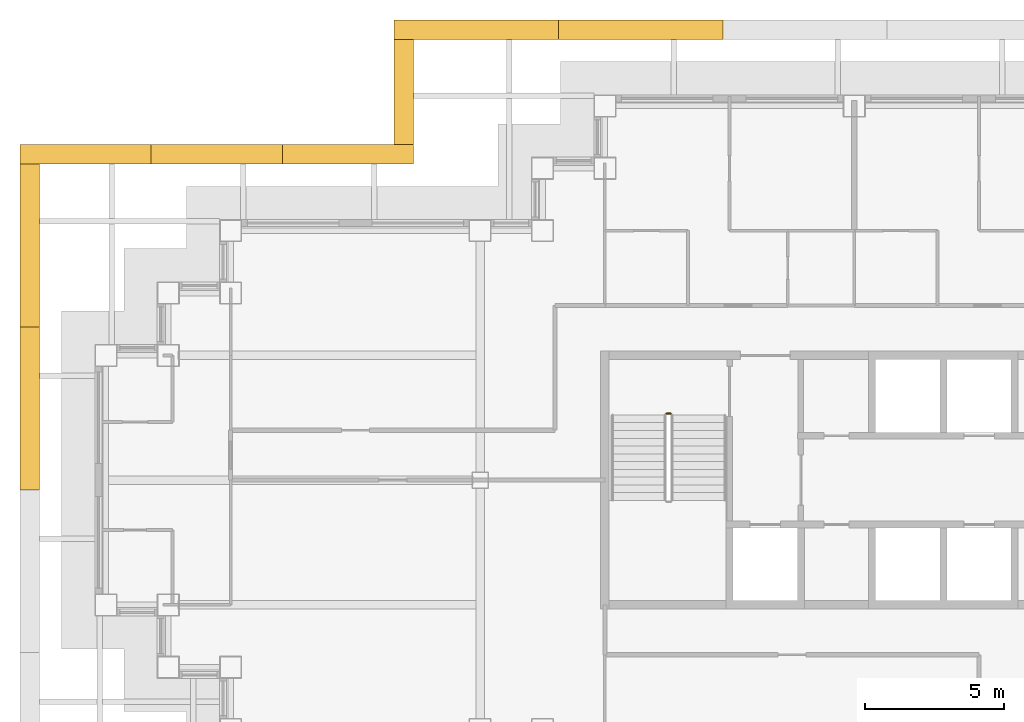
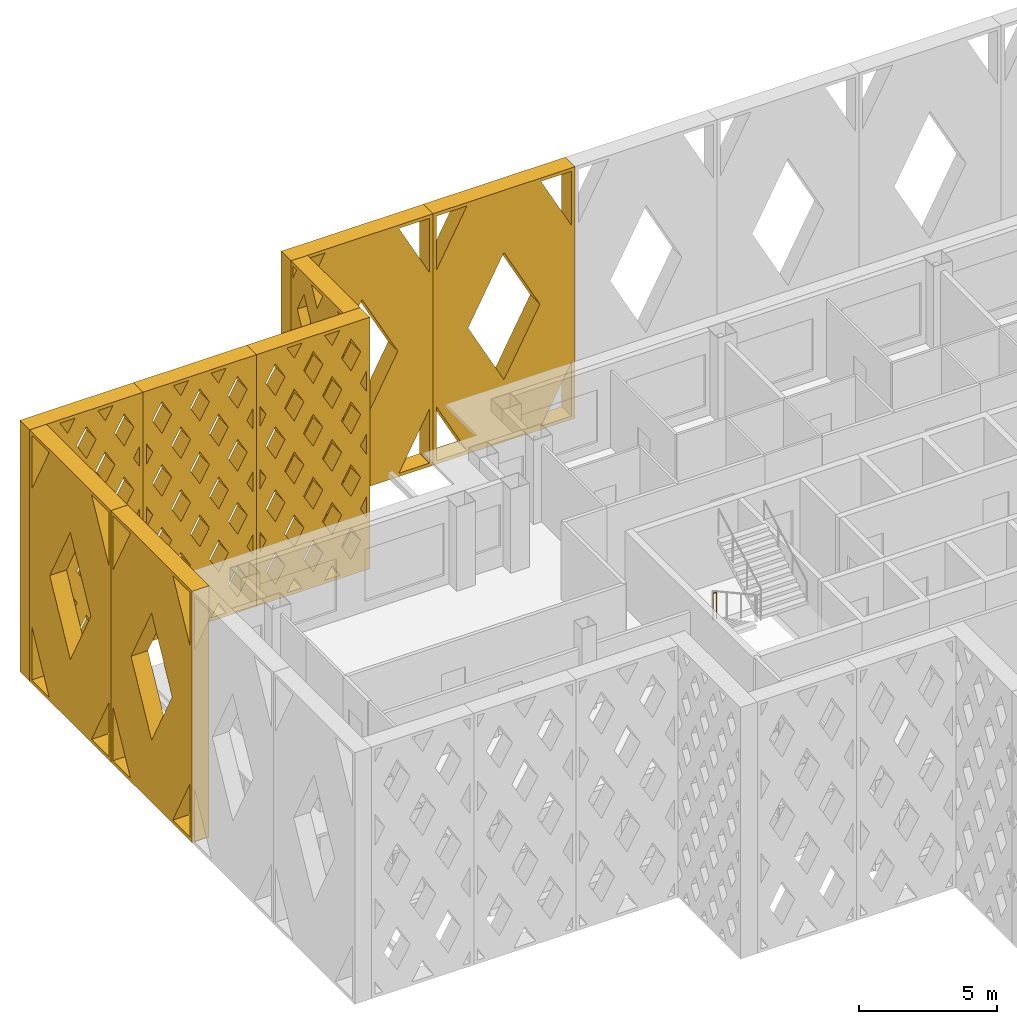
# One storey, part 17 of 18: 8 shading devices, 1 railing.
"""IFC4 building model written with IfcOpenShell, lengths in metres."""

from ifc_helpers import new_model, si_unit, direction, frame, origin, origin_2d, place, context, subcontext, project, spatial, polyline, circle, outline, extrude, material, type_object, element, save


model = new_model("IFC4")

# Units and contexts
model_context = context("Model", 3, precision=1e-05, world=origin(), true_north=direction((0.0, 1.0)))
body_context = subcontext(model_context, "Body", "Model", "MODEL_VIEW")
ifc_project = project(units=[si_unit("LENGTHUNIT", "METRE"), si_unit("AREAUNIT", "SQUARE_METRE"), si_unit("VOLUMEUNIT", "CUBIC_METRE"), si_unit("PLANEANGLEUNIT", "RADIAN"), si_unit("MASSUNIT", "GRAM", prefix="KILO")], contexts=[model_context])

# Site, building, storey
site_placement = place(None, origin())
site = spatial("IfcSite", under=ifc_project, at=site_placement, CompositionType="ELEMENT")
building_placement = place(site_placement, origin())
building = spatial("IfcBuilding", under=site, at=building_placement, Name="Caravel Reach Hotel and Residences", CompositionType="ELEMENT")
storey_placement = place(building_placement, frame((0.0, 0.0, 165.39990234375)))
storey = spatial("IfcBuildingStorey", under=building, at=storey_placement, Name="L41", CompositionType="ELEMENT", Elevation=165.39990234375)

# Shading devices
ifc_material_1 = material(Name="Black powder-coated aluminium", Category="aluminium")
shading_device_type_1 = type_object("IfcShadingDeviceType", Name="Diamond lattice screen panel 3800 x 11100", PredefinedType="USERDEFINED", material=ifc_material_1)
shading_device_1_placement = place(storey_placement, frame((11.10009765625, 42.89990234375, 0.0), z_axis=(-1.0, 0.0, 0.0), x_axis=(0.0, -1.0, 0.0)))
element("IfcShadingDevice", 1, at=shading_device_1_placement, inside=storey, type_object=shading_device_type_1, Name="Lattice screen L41-L43 11.1", ObjectType="SCREEN", PredefinedType="USERDEFINED", context=body_context, shape_type="SweptSolid", body=[
    extrude(outline(polyline([(0.0, 0.0), (3.800048828125, 0.0), (3.800048828125, 11.10009765625), (0.0, 11.10009765625), (0.0, 0.0)]), holes=[polyline([(0.412109375, 0.14990234375), (0.14990234375, 0.660400390625), (0.14990234375, 0.14990234375), (0.412109375, 0.14990234375)]), polyline([(0.4892578125, 3.699951171875), (0.14990234375, 4.3603515625), (0.14990234375, 3.03955078125), (0.4892578125, 3.699951171875)]), polyline([(0.4892578125, 7.39990234375), (0.14990234375, 8.060302734375), (0.14990234375, 6.739501953125), (0.4892578125, 7.39990234375)]), polyline([(0.14990234375, 10.439697265625), (0.412109375, 10.949951171875), (0.14990234375, 10.949951171875), (0.14990234375, 10.439697265625)]), polyline([(0.949951171875, 2.802490234375), (0.4609375, 1.85009765625), (0.949951171875, 0.8974609375), (1.439208984375, 1.85009765625), (0.949951171875, 2.802490234375)]), polyline([(0.949951171875, 6.50244140625), (0.4609375, 5.550048828125), (0.949951171875, 4.597412109375), (1.439208984375, 5.550048828125), (0.949951171875, 6.50244140625)]), polyline([(0.949951171875, 10.20263671875), (0.4609375, 9.25), (0.949951171875, 8.29736328125), (1.439208984375, 9.25), (0.949951171875, 10.20263671875)]), polyline([(1.89990234375, 0.95263671875), (1.48779296875, 0.14990234375), (2.31201171875, 0.14990234375), (1.89990234375, 0.95263671875)]), polyline([(1.89990234375, 4.652587890625), (1.410888671875, 3.699951171875), (1.89990234375, 2.74755859375), (2.38916015625, 3.699951171875), (1.89990234375, 4.652587890625)]), polyline([(1.89990234375, 8.3525390625), (1.410888671875, 7.39990234375), (1.89990234375, 6.447509765625), (2.38916015625, 7.39990234375), (1.89990234375, 8.3525390625)]), polyline([(1.89990234375, 10.1474609375), (2.31201171875, 10.949951171875), (1.48779296875, 10.949951171875), (1.89990234375, 10.1474609375)]), polyline([(2.85009765625, 2.802490234375), (2.36083984375, 1.85009765625), (2.85009765625, 0.8974609375), (3.339111328125, 1.85009765625), (2.85009765625, 2.802490234375)]), polyline([(2.85009765625, 6.50244140625), (2.36083984375, 5.550048828125), (2.85009765625, 4.597412109375), (3.339111328125, 5.550048828125), (2.85009765625, 6.50244140625)]), polyline([(2.85009765625, 10.20263671875), (2.36083984375, 9.25), (2.85009765625, 8.29736328125), (3.339111328125, 9.25), (2.85009765625, 10.20263671875)]), polyline([(3.64990234375, 0.660400390625), (3.387939453125, 0.14990234375), (3.64990234375, 0.14990234375), (3.64990234375, 0.660400390625)]), polyline([(3.310791015625, 3.699951171875), (3.64990234375, 3.03955078125), (3.64990234375, 4.3603515625), (3.310791015625, 3.699951171875)]), polyline([(3.310791015625, 7.39990234375), (3.64990234375, 6.739501953125), (3.64990234375, 8.060302734375), (3.310791015625, 7.39990234375)]), polyline([(3.387939453125, 10.949951171875), (3.64990234375, 10.439697265625), (3.64990234375, 10.949951171875), (3.387939453125, 10.949951171875)])]), origin(), (0.0, 0.0, 1.0), 0.7001953125),
])
ifc_material_2 = material(Name="Black powder-coated aluminium", Category="aluminium")
shading_device_type_2 = type_object("IfcShadingDeviceType", Name="Diamond lattice screen panel 4733 x 11100", PredefinedType="USERDEFINED", material=ifc_material_2)
shading_device_2_placement = place(storey_placement, frame((11.10009765625, 38.39990234375, 0.0), z_axis=(0.0, 1.0, 0.0), x_axis=(-1.0, 0.0, 0.0)))
element("IfcShadingDevice", 2, at=shading_device_2_placement, inside=storey, type_object=shading_device_type_2, Name="Lattice screen L41-L43 12.1", ObjectType="SCREEN", PredefinedType="USERDEFINED", context=body_context, shape_type="SweptSolid", body=[
    extrude(outline(polyline([(0.0, 0.0), (4.7333984375, 0.0), (4.7333984375, 11.10009765625), (0.0, 11.10009765625), (0.0, 0.0)]), holes=[polyline([(0.401123046875, 2.77490234375), (0.14990234375, 3.216796875), (0.14990234375, 2.333251953125), (0.401123046875, 2.77490234375)]), polyline([(0.401123046875, 5.550048828125), (0.14990234375, 5.99169921875), (0.14990234375, 5.108154296875), (0.401123046875, 5.550048828125)]), polyline([(0.401123046875, 8.324951171875), (0.14990234375, 8.766845703125), (0.14990234375, 7.88330078125), (0.401123046875, 8.324951171875)]), polyline([(0.788818359375, 2.093017578125), (0.3876953125, 1.387451171875), (0.788818359375, 0.681884765625), (1.190185546875, 1.387451171875), (0.788818359375, 2.093017578125)]), polyline([(0.788818359375, 4.8681640625), (0.3876953125, 4.16259765625), (0.788818359375, 3.456787109375), (1.190185546875, 4.16259765625), (0.788818359375, 4.8681640625)]), polyline([(0.788818359375, 7.64306640625), (0.3876953125, 6.9375), (0.788818359375, 6.23193359375), (1.190185546875, 6.9375), (0.788818359375, 7.64306640625)]), polyline([(0.788818359375, 10.418212890625), (0.3876953125, 9.71240234375), (0.788818359375, 9.0068359375), (1.190185546875, 9.71240234375), (0.788818359375, 10.418212890625)]), polyline([(1.577880859375, 0.70556640625), (1.261962890625, 0.14990234375), (1.893798828125, 0.14990234375), (1.577880859375, 0.70556640625)]), polyline([(1.577880859375, 3.480712890625), (1.176513671875, 2.77490234375), (1.577880859375, 2.0693359375), (1.97900390625, 2.77490234375), (1.577880859375, 3.480712890625)]), polyline([(1.577880859375, 6.255615234375), (1.176513671875, 5.550048828125), (1.577880859375, 4.844482421875), (1.97900390625, 5.550048828125), (1.577880859375, 6.255615234375)]), polyline([(1.577880859375, 9.030517578125), (1.176513671875, 8.324951171875), (1.577880859375, 7.619384765625), (1.97900390625, 8.324951171875), (1.577880859375, 9.030517578125)]), polyline([(1.577880859375, 10.394287109375), (1.893798828125, 10.949951171875), (1.261962890625, 10.949951171875), (1.577880859375, 10.394287109375)]), polyline([(2.36669921875, 2.093017578125), (1.965576171875, 1.387451171875), (2.36669921875, 0.681884765625), (2.767822265625, 1.387451171875), (2.36669921875, 2.093017578125)]), polyline([(2.36669921875, 4.8681640625), (1.965576171875, 4.16259765625), (2.36669921875, 3.456787109375), (2.767822265625, 4.16259765625), (2.36669921875, 4.8681640625)]), polyline([(2.36669921875, 7.64306640625), (1.965576171875, 6.9375), (2.36669921875, 6.23193359375), (2.767822265625, 6.9375), (2.36669921875, 7.64306640625)]), polyline([(2.36669921875, 10.418212890625), (1.965576171875, 9.71240234375), (2.36669921875, 9.0068359375), (2.767822265625, 9.71240234375), (2.36669921875, 10.418212890625)]), polyline([(3.155517578125, 0.70556640625), (2.839599609375, 0.14990234375), (3.471435546875, 0.14990234375), (3.155517578125, 0.70556640625)]), polyline([(3.155517578125, 3.480712890625), (2.75439453125, 2.77490234375), (3.155517578125, 2.0693359375), (3.556640625, 2.77490234375), (3.155517578125, 3.480712890625)]), polyline([(3.155517578125, 6.255615234375), (2.75439453125, 5.550048828125), (3.155517578125, 4.844482421875), (3.556640625, 5.550048828125), (3.155517578125, 6.255615234375)]), polyline([(3.155517578125, 9.030517578125), (2.75439453125, 8.324951171875), (3.155517578125, 7.619384765625), (3.556640625, 8.324951171875), (3.155517578125, 9.030517578125)]), polyline([(3.155517578125, 10.394287109375), (3.471435546875, 10.949951171875), (2.839599609375, 10.949951171875), (3.155517578125, 10.394287109375)]), polyline([(3.9443359375, 2.093017578125), (3.543212890625, 1.387451171875), (3.9443359375, 0.681884765625), (4.345703125, 1.387451171875), (3.9443359375, 2.093017578125)]), polyline([(3.9443359375, 4.8681640625), (3.543212890625, 4.16259765625), (3.9443359375, 3.456787109375), (4.345703125, 4.16259765625), (3.9443359375, 4.8681640625)]), polyline([(3.9443359375, 7.64306640625), (3.543212890625, 6.9375), (3.9443359375, 6.23193359375), (4.345703125, 6.9375), (3.9443359375, 7.64306640625)]), polyline([(3.9443359375, 10.418212890625), (3.543212890625, 9.71240234375), (3.9443359375, 9.0068359375), (4.345703125, 9.71240234375), (3.9443359375, 10.418212890625)]), polyline([(4.33203125, 2.77490234375), (4.583251953125, 2.333251953125), (4.583251953125, 3.216796875), (4.33203125, 2.77490234375)]), polyline([(4.33203125, 5.550048828125), (4.583251953125, 5.108154296875), (4.583251953125, 5.99169921875), (4.33203125, 5.550048828125)]), polyline([(4.33203125, 8.324951171875), (4.583251953125, 7.88330078125), (4.583251953125, 8.766845703125), (4.33203125, 8.324951171875)])]), origin(), (0.0, 0.0, 1.0), 0.7001953125),
])
shading_device_3_placement = place(storey_placement, frame((6.36669921875, 38.39990234375, 0.0), z_axis=(0.0, 1.0, 0.0), x_axis=(-1.0, 0.0, 0.0)))
element("IfcShadingDevice", 3, at=shading_device_3_placement, inside=storey, type_object=shading_device_type_2, Name="Lattice screen L41-L43 12.2", ObjectType="SCREEN", PredefinedType="USERDEFINED", context=body_context, shape_type="SweptSolid", body=[
    extrude(outline(polyline([(0.0, 0.0), (4.7333984375, 0.0), (4.7333984375, 11.10009765625), (0.0, 11.10009765625), (0.0, 0.0)]), holes=[polyline([(0.401123046875, 2.77490234375), (0.14990234375, 3.216796875), (0.14990234375, 2.333251953125), (0.401123046875, 2.77490234375)]), polyline([(0.401123046875, 5.550048828125), (0.14990234375, 5.99169921875), (0.14990234375, 5.108154296875), (0.401123046875, 5.550048828125)]), polyline([(0.401123046875, 8.324951171875), (0.14990234375, 8.766845703125), (0.14990234375, 7.88330078125), (0.401123046875, 8.324951171875)]), polyline([(0.788818359375, 2.093017578125), (0.3876953125, 1.387451171875), (0.788818359375, 0.681884765625), (1.190185546875, 1.387451171875), (0.788818359375, 2.093017578125)]), polyline([(0.788818359375, 4.8681640625), (0.3876953125, 4.16259765625), (0.788818359375, 3.456787109375), (1.190185546875, 4.16259765625), (0.788818359375, 4.8681640625)]), polyline([(0.788818359375, 7.64306640625), (0.3876953125, 6.9375), (0.788818359375, 6.23193359375), (1.190185546875, 6.9375), (0.788818359375, 7.64306640625)]), polyline([(0.788818359375, 10.418212890625), (0.3876953125, 9.71240234375), (0.788818359375, 9.0068359375), (1.190185546875, 9.71240234375), (0.788818359375, 10.418212890625)]), polyline([(1.577880859375, 0.70556640625), (1.261962890625, 0.14990234375), (1.893798828125, 0.14990234375), (1.577880859375, 0.70556640625)]), polyline([(1.577880859375, 3.480712890625), (1.176513671875, 2.77490234375), (1.577880859375, 2.0693359375), (1.97900390625, 2.77490234375), (1.577880859375, 3.480712890625)]), polyline([(1.577880859375, 6.255615234375), (1.176513671875, 5.550048828125), (1.577880859375, 4.844482421875), (1.97900390625, 5.550048828125), (1.577880859375, 6.255615234375)]), polyline([(1.577880859375, 9.030517578125), (1.176513671875, 8.324951171875), (1.577880859375, 7.619384765625), (1.97900390625, 8.324951171875), (1.577880859375, 9.030517578125)]), polyline([(1.577880859375, 10.394287109375), (1.893798828125, 10.949951171875), (1.261962890625, 10.949951171875), (1.577880859375, 10.394287109375)]), polyline([(2.36669921875, 2.093017578125), (1.965576171875, 1.387451171875), (2.36669921875, 0.681884765625), (2.767822265625, 1.387451171875), (2.36669921875, 2.093017578125)]), polyline([(2.36669921875, 4.8681640625), (1.965576171875, 4.16259765625), (2.36669921875, 3.456787109375), (2.767822265625, 4.16259765625), (2.36669921875, 4.8681640625)]), polyline([(2.36669921875, 7.64306640625), (1.965576171875, 6.9375), (2.36669921875, 6.23193359375), (2.767822265625, 6.9375), (2.36669921875, 7.64306640625)]), polyline([(2.36669921875, 10.418212890625), (1.965576171875, 9.71240234375), (2.36669921875, 9.0068359375), (2.767822265625, 9.71240234375), (2.36669921875, 10.418212890625)]), polyline([(3.155517578125, 0.70556640625), (2.839599609375, 0.14990234375), (3.471435546875, 0.14990234375), (3.155517578125, 0.70556640625)]), polyline([(3.155517578125, 3.480712890625), (2.75439453125, 2.77490234375), (3.155517578125, 2.0693359375), (3.556640625, 2.77490234375), (3.155517578125, 3.480712890625)]), polyline([(3.155517578125, 6.255615234375), (2.75439453125, 5.550048828125), (3.155517578125, 4.844482421875), (3.556640625, 5.550048828125), (3.155517578125, 6.255615234375)]), polyline([(3.155517578125, 9.030517578125), (2.75439453125, 8.324951171875), (3.155517578125, 7.619384765625), (3.556640625, 8.324951171875), (3.155517578125, 9.030517578125)]), polyline([(3.155517578125, 10.394287109375), (3.471435546875, 10.949951171875), (2.839599609375, 10.949951171875), (3.155517578125, 10.394287109375)]), polyline([(3.9443359375, 2.093017578125), (3.543212890625, 1.387451171875), (3.9443359375, 0.681884765625), (4.345703125, 1.387451171875), (3.9443359375, 2.093017578125)]), polyline([(3.9443359375, 4.8681640625), (3.543212890625, 4.16259765625), (3.9443359375, 3.456787109375), (4.345703125, 4.16259765625), (3.9443359375, 4.8681640625)]), polyline([(3.9443359375, 7.64306640625), (3.543212890625, 6.9375), (3.9443359375, 6.23193359375), (4.345703125, 6.9375), (3.9443359375, 7.64306640625)]), polyline([(3.9443359375, 10.418212890625), (3.543212890625, 9.71240234375), (3.9443359375, 9.0068359375), (4.345703125, 9.71240234375), (3.9443359375, 10.418212890625)]), polyline([(4.33203125, 2.77490234375), (4.583251953125, 2.333251953125), (4.583251953125, 3.216796875), (4.33203125, 2.77490234375)]), polyline([(4.33203125, 5.550048828125), (4.583251953125, 5.108154296875), (4.583251953125, 5.99169921875), (4.33203125, 5.550048828125)]), polyline([(4.33203125, 8.324951171875), (4.583251953125, 7.88330078125), (4.583251953125, 8.766845703125), (4.33203125, 8.324951171875)])]), origin(), (0.0, 0.0, 1.0), 0.7001953125),
])
shading_device_4_placement = place(storey_placement, frame((1.63330078125, 38.39990234375, 0.0), z_axis=(0.0, 1.0, 0.0), x_axis=(-1.0, 0.0, 0.0)))
element("IfcShadingDevice", 4, at=shading_device_4_placement, inside=storey, type_object=shading_device_type_2, Name="Lattice screen L41-L43 12.3", ObjectType="SCREEN", PredefinedType="USERDEFINED", context=body_context, shape_type="SweptSolid", body=[
    extrude(outline(polyline([(0.0, 0.0), (4.7333984375, 0.0), (4.7333984375, 11.10009765625), (0.0, 11.10009765625), (0.0, 0.0)]), holes=[polyline([(0.401123046875, 2.77490234375), (0.14990234375, 3.216796875), (0.14990234375, 2.333251953125), (0.401123046875, 2.77490234375)]), polyline([(0.401123046875, 5.550048828125), (0.14990234375, 5.99169921875), (0.14990234375, 5.108154296875), (0.401123046875, 5.550048828125)]), polyline([(0.401123046875, 8.324951171875), (0.14990234375, 8.766845703125), (0.14990234375, 7.88330078125), (0.401123046875, 8.324951171875)]), polyline([(0.788818359375, 2.093017578125), (0.3876953125, 1.387451171875), (0.788818359375, 0.681884765625), (1.190185546875, 1.387451171875), (0.788818359375, 2.093017578125)]), polyline([(0.788818359375, 4.8681640625), (0.3876953125, 4.16259765625), (0.788818359375, 3.456787109375), (1.190185546875, 4.16259765625), (0.788818359375, 4.8681640625)]), polyline([(0.788818359375, 7.64306640625), (0.3876953125, 6.9375), (0.788818359375, 6.23193359375), (1.190185546875, 6.9375), (0.788818359375, 7.64306640625)]), polyline([(0.788818359375, 10.418212890625), (0.3876953125, 9.71240234375), (0.788818359375, 9.0068359375), (1.190185546875, 9.71240234375), (0.788818359375, 10.418212890625)]), polyline([(1.577880859375, 0.70556640625), (1.261962890625, 0.14990234375), (1.893798828125, 0.14990234375), (1.577880859375, 0.70556640625)]), polyline([(1.577880859375, 3.480712890625), (1.176513671875, 2.77490234375), (1.577880859375, 2.0693359375), (1.97900390625, 2.77490234375), (1.577880859375, 3.480712890625)]), polyline([(1.577880859375, 6.255615234375), (1.176513671875, 5.550048828125), (1.577880859375, 4.844482421875), (1.97900390625, 5.550048828125), (1.577880859375, 6.255615234375)]), polyline([(1.577880859375, 9.030517578125), (1.176513671875, 8.324951171875), (1.577880859375, 7.619384765625), (1.97900390625, 8.324951171875), (1.577880859375, 9.030517578125)]), polyline([(1.577880859375, 10.394287109375), (1.893798828125, 10.949951171875), (1.261962890625, 10.949951171875), (1.577880859375, 10.394287109375)]), polyline([(2.36669921875, 2.093017578125), (1.965576171875, 1.387451171875), (2.36669921875, 0.681884765625), (2.767822265625, 1.387451171875), (2.36669921875, 2.093017578125)]), polyline([(2.36669921875, 4.8681640625), (1.965576171875, 4.16259765625), (2.36669921875, 3.456787109375), (2.767822265625, 4.16259765625), (2.36669921875, 4.8681640625)]), polyline([(2.36669921875, 7.64306640625), (1.965576171875, 6.9375), (2.36669921875, 6.23193359375), (2.767822265625, 6.9375), (2.36669921875, 7.64306640625)]), polyline([(2.36669921875, 10.418212890625), (1.965576171875, 9.71240234375), (2.36669921875, 9.0068359375), (2.767822265625, 9.71240234375), (2.36669921875, 10.418212890625)]), polyline([(3.155517578125, 0.70556640625), (2.839599609375, 0.14990234375), (3.471435546875, 0.14990234375), (3.155517578125, 0.70556640625)]), polyline([(3.155517578125, 3.480712890625), (2.75439453125, 2.77490234375), (3.155517578125, 2.0693359375), (3.556640625, 2.77490234375), (3.155517578125, 3.480712890625)]), polyline([(3.155517578125, 6.255615234375), (2.75439453125, 5.550048828125), (3.155517578125, 4.844482421875), (3.556640625, 5.550048828125), (3.155517578125, 6.255615234375)]), polyline([(3.155517578125, 9.030517578125), (2.75439453125, 8.324951171875), (3.155517578125, 7.619384765625), (3.556640625, 8.324951171875), (3.155517578125, 9.030517578125)]), polyline([(3.155517578125, 10.394287109375), (3.471435546875, 10.949951171875), (2.839599609375, 10.949951171875), (3.155517578125, 10.394287109375)]), polyline([(3.9443359375, 2.093017578125), (3.543212890625, 1.387451171875), (3.9443359375, 0.681884765625), (4.345703125, 1.387451171875), (3.9443359375, 2.093017578125)]), polyline([(3.9443359375, 4.8681640625), (3.543212890625, 4.16259765625), (3.9443359375, 3.456787109375), (4.345703125, 4.16259765625), (3.9443359375, 4.8681640625)]), polyline([(3.9443359375, 7.64306640625), (3.543212890625, 6.9375), (3.9443359375, 6.23193359375), (4.345703125, 6.9375), (3.9443359375, 7.64306640625)]), polyline([(3.9443359375, 10.418212890625), (3.543212890625, 9.71240234375), (3.9443359375, 9.0068359375), (4.345703125, 9.71240234375), (3.9443359375, 10.418212890625)]), polyline([(4.33203125, 2.77490234375), (4.583251953125, 2.333251953125), (4.583251953125, 3.216796875), (4.33203125, 2.77490234375)]), polyline([(4.33203125, 5.550048828125), (4.583251953125, 5.108154296875), (4.583251953125, 5.99169921875), (4.33203125, 5.550048828125)]), polyline([(4.33203125, 8.324951171875), (4.583251953125, 7.88330078125), (4.583251953125, 8.766845703125), (4.33203125, 8.324951171875)])]), origin(), (0.0, 0.0, 1.0), 0.7001953125),
])
ifc_material_3 = material(Name="Black powder-coated aluminium", Category="aluminium")
shading_device_type_3 = type_object("IfcShadingDeviceType", Name="Diamond lattice screen panel 5875 x 11100", PredefinedType="USERDEFINED", material=ifc_material_3)
for number, where, z_axis, x_axis, name in (
    (5, (-2.39990234375, 38.39990234375, 0.0), (-1.0, 0.0, 0.0), (0.0, -1.0, 0.0), "Lattice screen L41-L43 13.1"),
    (6, (-2.39990234375, 32.52490234375, 0.0), (-1.0, 0.0, 0.0), (0.0, -1.0, 0.0), "Lattice screen L41-L43 13.2"),
):
    element("IfcShadingDevice", number, at=place(storey_placement, frame(where, z_axis=z_axis, x_axis=x_axis)), inside=storey, type_object=shading_device_type_3, Name=name, ObjectType="SCREEN", PredefinedType="USERDEFINED", context=body_context, shape_type="SweptSolid", body=[
        extrude(outline(polyline([(0.0, 0.0), (5.875, 0.0), (5.875, 11.10009765625), (0.0, 11.10009765625), (0.0, 0.0)]), holes=[polyline([(1.408447265625, 0.14990234375), (0.14990234375, 2.52734375), (0.14990234375, 0.14990234375), (1.408447265625, 0.14990234375)]), polyline([(0.14990234375, 8.572509765625), (1.408447265625, 10.949951171875), (0.14990234375, 10.949951171875), (0.14990234375, 8.572509765625)]), polyline([(2.9375, 8.36083984375), (1.44970703125, 5.550048828125), (2.9375, 2.7392578125), (4.42529296875, 5.550048828125), (2.9375, 8.36083984375)]), polyline([(5.72509765625, 2.52734375), (4.466552734375, 0.14990234375), (5.72509765625, 0.14990234375), (5.72509765625, 2.52734375)]), polyline([(4.466552734375, 10.949951171875), (5.72509765625, 8.572509765625), (5.72509765625, 10.949951171875), (4.466552734375, 10.949951171875)])]), origin(), (0.0, 0.0, 1.0), 0.7001953125),
    ])
ifc_material_4 = material(Name="Black powder-coated aluminium", Category="aluminium")
shading_device_type_4 = type_object("IfcShadingDeviceType", Name="Diamond lattice screen panel 5929 x 11100", PredefinedType="USERDEFINED", material=ifc_material_4)
for number, where, z_axis, x_axis, name in (
    (7, (22.257080078125, 42.89990234375, 0.0), (0.0, 1.0, 0.0), (-1.0, 0.0, 0.0), "Lattice screen L41-L43 10.6"),
    (8, (16.32861328125, 42.89990234375, 0.0), (0.0, 1.0, 0.0), (-1.0, 0.0, 0.0), "Lattice screen L41-L43 10.7"),
):
    element("IfcShadingDevice", number, at=place(storey_placement, frame(where, z_axis=z_axis, x_axis=x_axis)), inside=storey, type_object=shading_device_type_4, Name=name, ObjectType="SCREEN", PredefinedType="USERDEFINED", context=body_context, shape_type="SweptSolid", body=[
        extrude(outline(polyline([(0.0, 0.0), (5.928466796875, 0.0), (5.928466796875, 11.10009765625), (0.0, 11.10009765625), (0.0, 0.0)]), holes=[polyline([(1.420654296875, 0.14990234375), (0.14990234375, 2.52880859375), (0.14990234375, 0.14990234375), (1.420654296875, 0.14990234375)]), polyline([(0.14990234375, 8.571044921875), (1.420654296875, 10.949951171875), (0.14990234375, 10.949951171875), (0.14990234375, 8.571044921875)]), polyline([(2.96435546875, 8.359619140625), (1.463623046875, 5.550048828125), (2.96435546875, 2.740234375), (4.46484375, 5.550048828125), (2.96435546875, 8.359619140625)]), polyline([(5.778564453125, 2.52880859375), (4.508056640625, 0.14990234375), (5.778564453125, 0.14990234375), (5.778564453125, 2.52880859375)]), polyline([(4.508056640625, 10.949951171875), (5.778564453125, 8.571044921875), (5.778564453125, 10.949951171875), (4.508056640625, 10.949951171875)])]), origin(), (0.0, 0.0, 1.0), 0.7001953125),
    ])

# Railing
ifc_material_5 = material(Name="Steel balustrade with glass infill", Category="steel")
railing_type = type_object("IfcRailingType", Name="Guard 1200", PredefinedType="GUARDRAIL", material=ifc_material_5)
railing_placement = place(storey_placement, frame((20.22509765625, 29.39990234375, 0.0)))
element("IfcRailing", 9, at=railing_placement, inside=storey, type_object=railing_type, Name="L41 ST-A stair guard 4", PredefinedType="GUARDRAIL", context=body_context, shape_type="SweptSolid", body=[
    extrude(circle(Radius=0.02392578125, at=origin_2d()), frame((0.0, 0.0, 1.17578125), z_axis=(1.0, 0.0, 0.0), x_axis=(0.0, 1.0, 0.0)), (0.0, 0.0, 1.0), 0.14990234375),
    extrude(circle(Radius=0.02099609375, at=origin_2d()), origin(), (0.0, 0.0, 1.0), 1.15185546875),
    extrude(circle(Radius=0.02099609375, at=origin_2d()), frame((0.14990234375, 0.0, 0.0)), (0.0, 0.0, 1.0), 1.15185546875),
])

save(model, "model.ifc")
